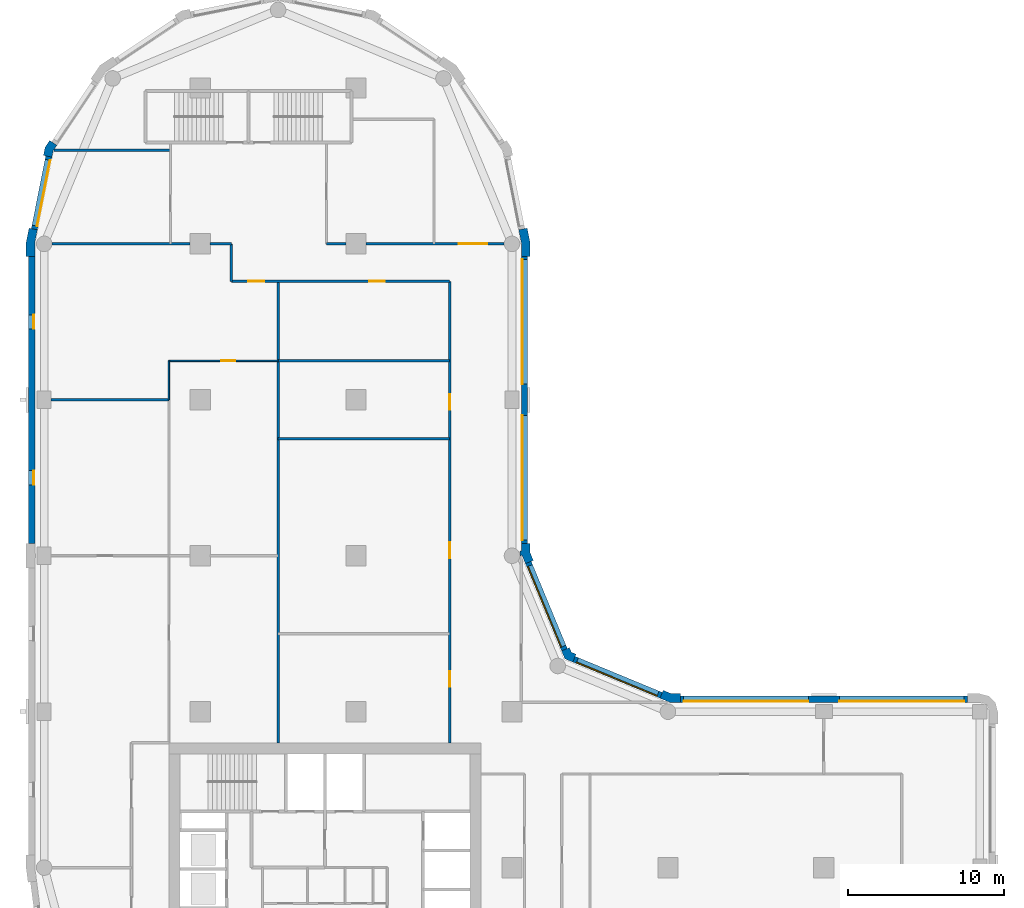
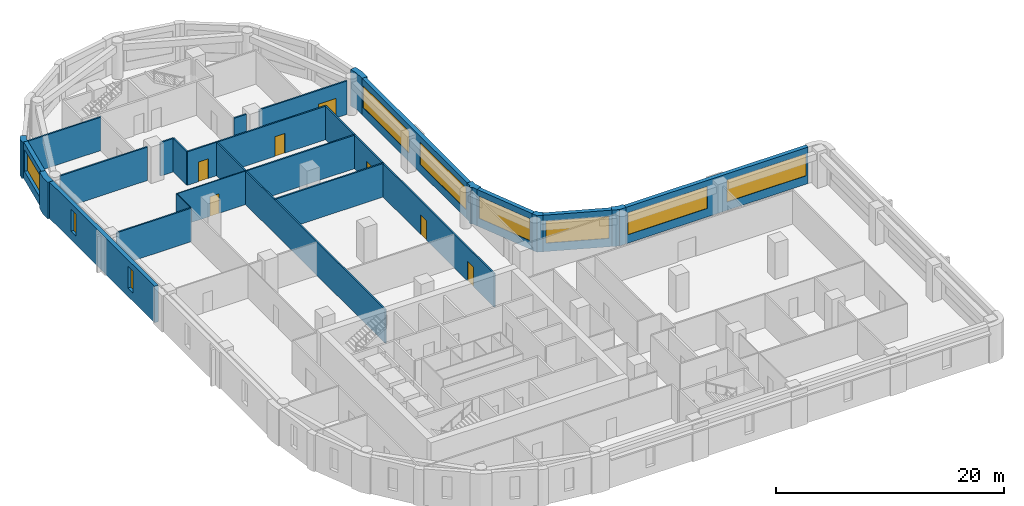
# One storey, part 6 of 10: 26 walls, 9 windows, 7 doors, 16 openings.
"""IFC4 building model written with IfcOpenShell, lengths in metres."""

from ifc_helpers import new_model, si_unit, direction, frame, frame_2d, origin, place, context, subcontext, project, spatial, polyline, rectangle, outline, extrude, material, layer, layer_set, type_object, element, fill, save


model = new_model("IFC4")

# Units and contexts
model_context = context("Model", 3, precision=1e-05, world=origin(), true_north=direction((0.0, 1.0)))
body_context = subcontext(model_context, "Body", "Model", "MODEL_VIEW")
ifc_project = project(units=[si_unit("LENGTHUNIT", "METRE"), si_unit("AREAUNIT", "SQUARE_METRE"), si_unit("VOLUMEUNIT", "CUBIC_METRE"), si_unit("PLANEANGLEUNIT", "RADIAN"), si_unit("MASSUNIT", "GRAM", prefix="KILO")], contexts=[model_context])

# Site, building, storey
site_placement = place(None, origin())
site = spatial("IfcSite", under=ifc_project, at=site_placement, CompositionType="ELEMENT")
building_placement = place(site_placement, origin())
building = spatial("IfcBuilding", under=site, at=building_placement, Name="Qaws Garden Tower", CompositionType="ELEMENT")
storey_placement = place(building_placement, frame((0.0, 0.0, 201.89990234375)))
storey = spatial("IfcBuildingStorey", under=building, at=storey_placement, Name="L49", CompositionType="ELEMENT", Elevation=201.89990234375)

# Wall, openings, windows
ifc_material_1 = material(Name="Clay facing brick masonry", Category="masonry")
ifc_layer_1 = layer(ifc_material_1, 0.39990234375)
ifc_layer_set_1 = layer_set([ifc_layer_1], Name="Clay facing brick masonry")
wall_type_1 = type_object("IfcWallType", Name="Brick infill wall 400", PredefinedType="SOLIDWALL", material=ifc_layer_set_1)
wall_1_placement = place(storey_placement, frame((59.199951171875, 30.800048828125, 0.0), z_axis=(0.0, 0.0, 1.0), x_axis=(-1.0, 0.0, 0.0)))
wall_1 = element("IfcWall", 1, at=wall_1_placement, inside=storey, type_object=wall_type_1, Name="E-L49-infill-07", PredefinedType="SOLIDWALL", context=body_context, shape_type="SweptSolid", body=[
    extrude(rectangle(XDim=18.39990234375, YDim=0.39990234375, at=frame_2d((9.199951171875, 0.0))), origin(), (0.0, 0.0, 1.0), 3.900146484375),
])
opening_1_placement = place(wall_1_placement, frame((0.199951171875, 0.0, 0.89990234375)))
opening_1 = element("IfcOpeningElement", 2, at=opening_1_placement, cuts=wall_1, Name="Opening W01", PredefinedType="OPENING", context=body_context, shape_type="SweptSolid", body=[
    extrude(rectangle(XDim=8.0, YDim=2.35009765625, at=frame_2d((4.0, 1.175048828125))), frame((0.0, 0.2099609375, 0.0), z_axis=(0.0, -1.0, 0.0), x_axis=(1.0, 0.0, 0.0)), (0.0, 0.0, 1.0), 0.419921875),
])
opening_2_placement = place(wall_1_placement, frame((10.199951171875, 0.0, 0.89990234375)))
opening_2 = element("IfcOpeningElement", 3, at=opening_2_placement, cuts=wall_1, Name="Opening W01", PredefinedType="OPENING", context=body_context, shape_type="SweptSolid", body=[
    extrude(rectangle(XDim=8.0, YDim=2.35009765625, at=frame_2d((4.0, 1.175048828125))), frame((0.0, 0.2099609375, 0.0), z_axis=(0.0, -1.0, 0.0), x_axis=(1.0, 0.0, 0.0)), (0.0, 0.0, 1.0), 0.419921875),
])
ifc_material_2 = material(Name="Aluminium framed window, clear glazing", Category="aluminium")
window_type_1 = type_object("IfcWindowType", Name="Ribbon window 8000 x 2350", PartitioningType="DOUBLE_PANEL_VERTICAL", PredefinedType="WINDOW", material=ifc_material_2)
window_1_placement = place(opening_1_placement, origin())
window_1 = element("IfcWindow", 4, at=window_1_placement, inside=storey, type_object=window_type_1, Name="E-L49-window-07-0", OverallHeight=2.35009765625, OverallWidth=8.0, PartitioningType="SINGLE_PANEL", PredefinedType="WINDOW", context=body_context, shape_type="SweptSolid", body=[
    extrude(rectangle(XDim=8.0, YDim=2.35009765625, at=frame_2d((4.0, 1.175048828125))), frame((0.0, 0.159912109375, 0.0), z_axis=(0.0, -1.0, 0.0), x_axis=(1.0, 0.0, 0.0)), (0.0, 0.0, 1.0), 0.06005859375),
])
fill(opening_1, window_1)
window_2_placement = place(opening_2_placement, origin())
window_2 = element("IfcWindow", 5, at=window_2_placement, inside=storey, type_object=window_type_1, Name="E-L49-window-08-0", OverallHeight=2.35009765625, OverallWidth=8.0, PartitioningType="SINGLE_PANEL", PredefinedType="WINDOW", context=body_context, shape_type="SweptSolid", body=[
    extrude(rectangle(XDim=8.0, YDim=2.35009765625, at=frame_2d((4.0, 1.175048828125))), frame((0.0, 0.159912109375, 0.0), z_axis=(0.0, -1.0, 0.0), x_axis=(1.0, 0.0, 0.0)), (0.0, 0.0, 1.0), 0.06005859375),
])
fill(opening_2, window_2)

# Wall, opening, window
wall_2_placement = place(storey_placement, frame((39.56689453125, 31.04541015625, 0.0), z_axis=(0.0, 0.0, 1.0), x_axis=(-0.923891000409, 0.382655745237, 0.0)))
wall_2 = element("IfcWall", 6, at=wall_2_placement, inside=storey, type_object=wall_type_1, Name="E-L49-infill-09", PredefinedType="SOLIDWALL", context=body_context, shape_type="SweptSolid", body=[
    extrude(rectangle(XDim=6.053466796875, YDim=0.39990234375, at=frame_2d((3.02685546875, 0.0))), origin(), (0.0, 0.0, 1.0), 3.900146484375),
])
opening_3_placement = place(wall_2_placement, frame((0.226806640625, 0.0, 0.89990234375)))
opening_3 = element("IfcOpeningElement", 7, at=opening_3_placement, cuts=wall_2, Name="Opening W04", PredefinedType="OPENING", context=body_context, shape_type="SweptSolid", body=[
    extrude(rectangle(XDim=5.60009765625, YDim=2.35009765625, at=frame_2d((2.800048828125, 1.175048828125))), frame((0.0, 0.2099609375, 0.0), z_axis=(0.0, -1.0, 0.0), x_axis=(1.0, 0.0, 0.0)), (0.0, 0.0, 1.0), 0.419921875),
])
ifc_material_3 = material(Name="Aluminium framed window, clear glazing", Category="aluminium")
window_type_2 = type_object("IfcWindowType", Name="Ribbon window 5600 x 2350", PartitioningType="DOUBLE_PANEL_VERTICAL", PredefinedType="WINDOW", material=ifc_material_3)
window_3_placement = place(opening_3_placement, origin())
window_3 = element("IfcWindow", 8, at=window_3_placement, inside=storey, type_object=window_type_2, Name="E-L49-window-09-0", OverallHeight=2.35009765625, OverallWidth=5.60009765625, PartitioningType="SINGLE_PANEL", PredefinedType="WINDOW", context=body_context, shape_type="SweptSolid", body=[
    extrude(rectangle(XDim=5.60009765625, YDim=2.35009765625, at=frame_2d((2.800048828125, 1.175048828125))), frame((0.0, 0.159912109375, 0.0), z_axis=(0.0, -1.0, 0.0), x_axis=(1.0, 0.0, 0.0)), (0.0, 0.0, 1.0), 0.06005859375),
])
fill(opening_3, window_3)

wall_3_placement = place(storey_placement, frame((33.36181640625, 33.97412109375, 0.0), z_axis=(0.0, 0.0, 1.0), x_axis=(-0.382655745237, 0.923891000409, 0.0)))
wall_3 = element("IfcWall", 9, at=wall_3_placement, inside=storey, type_object=wall_type_1, Name="E-L49-infill-10", PredefinedType="SOLIDWALL", context=body_context, shape_type="SweptSolid", body=[
    extrude(rectangle(XDim=6.053466796875, YDim=0.39990234375, at=frame_2d((3.02685546875, 0.0))), origin(), (0.0, 0.0, 1.0), 3.900146484375),
])
opening_4_placement = place(wall_3_placement, frame((0.226806640625, 0.0, 0.89990234375)))
opening_4 = element("IfcOpeningElement", 10, at=opening_4_placement, cuts=wall_3, Name="Opening W04", PredefinedType="OPENING", context=body_context, shape_type="SweptSolid", body=[
    extrude(rectangle(XDim=5.60009765625, YDim=2.35009765625, at=frame_2d((2.800048828125, 1.175048828125))), frame((0.0, 0.2099609375, 0.0), z_axis=(0.0, -1.0, 0.0), x_axis=(1.0, 0.0, 0.0)), (0.0, 0.0, 1.0), 0.419921875),
])
window_4_placement = place(opening_4_placement, origin())
window_4 = element("IfcWindow", 11, at=window_4_placement, inside=storey, type_object=window_type_2, Name="E-L49-window-10-0", OverallHeight=2.35009765625, OverallWidth=5.60009765625, PartitioningType="SINGLE_PANEL", PredefinedType="WINDOW", context=body_context, shape_type="SweptSolid", body=[
    extrude(rectangle(XDim=5.60009765625, YDim=2.35009765625, at=frame_2d((2.800048828125, 1.175048828125))), frame((0.0, 0.159912109375, 0.0), z_axis=(0.0, -1.0, 0.0), x_axis=(1.0, 0.0, 0.0)), (0.0, 0.0, 1.0), 0.06005859375),
])
fill(opening_4, window_4)

# Wall, openings, windows
wall_4_placement = place(storey_placement, frame((30.800048828125, 40.800048828125, 0.0), z_axis=(0.0, 0.0, 1.0), x_axis=(0.0, 1.0, 0.0)))
wall_4 = element("IfcWall", 12, at=wall_4_placement, inside=storey, type_object=wall_type_1, Name="E-L49-infill-11", PredefinedType="SOLIDWALL", context=body_context, shape_type="SweptSolid", body=[
    extrude(rectangle(XDim=18.39990234375, YDim=0.39990234375, at=frame_2d((9.199951171875, 0.0))), origin(), (0.0, 0.0, 1.0), 3.900146484375),
])
opening_5_placement = place(wall_4_placement, frame((0.199951171875, 0.0, 0.89990234375)))
opening_5 = element("IfcOpeningElement", 13, at=opening_5_placement, cuts=wall_4, Name="Opening W01", PredefinedType="OPENING", context=body_context, shape_type="SweptSolid", body=[
    extrude(rectangle(XDim=8.0, YDim=2.35009765625, at=frame_2d((4.0, 1.175048828125))), frame((0.0, 0.2099609375, 0.0), z_axis=(0.0, -1.0, 0.0), x_axis=(1.0, 0.0, 0.0)), (0.0, 0.0, 1.0), 0.419921875),
])
opening_6_placement = place(wall_4_placement, frame((10.199951171875, 0.0, 0.89990234375)))
opening_6 = element("IfcOpeningElement", 14, at=opening_6_placement, cuts=wall_4, Name="Opening W01", PredefinedType="OPENING", context=body_context, shape_type="SweptSolid", body=[
    extrude(rectangle(XDim=8.0, YDim=2.35009765625, at=frame_2d((4.0, 1.175048828125))), frame((0.0, 0.2099609375, 0.0), z_axis=(0.0, -1.0, 0.0), x_axis=(1.0, 0.0, 0.0)), (0.0, 0.0, 1.0), 0.419921875),
])
window_5_placement = place(opening_5_placement, origin())
window_5 = element("IfcWindow", 15, at=window_5_placement, inside=storey, type_object=window_type_1, Name="E-L49-window-11-0", OverallHeight=2.35009765625, OverallWidth=8.0, PartitioningType="SINGLE_PANEL", PredefinedType="WINDOW", context=body_context, shape_type="SweptSolid", body=[
    extrude(rectangle(XDim=8.0, YDim=2.35009765625, at=frame_2d((4.0, 1.175048828125))), frame((0.0, 0.159912109375, 0.0), z_axis=(0.0, -1.0, 0.0), x_axis=(1.0, 0.0, 0.0)), (0.0, 0.0, 1.0), 0.06005859375),
])
fill(opening_5, window_5)
window_6_placement = place(opening_6_placement, origin())
window_6 = element("IfcWindow", 16, at=window_6_placement, inside=storey, type_object=window_type_1, Name="E-L49-window-12-0", OverallHeight=2.35009765625, OverallWidth=8.0, PartitioningType="SINGLE_PANEL", PredefinedType="WINDOW", context=body_context, shape_type="SweptSolid", body=[
    extrude(rectangle(XDim=8.0, YDim=2.35009765625, at=frame_2d((4.0, 1.175048828125))), frame((0.0, 0.159912109375, 0.0), z_axis=(0.0, -1.0, 0.0), x_axis=(1.0, 0.0, 0.0)), (0.0, 0.0, 1.0), 0.06005859375),
])
fill(opening_6, window_6)

# Wall, opening, window
wall_5_placement = place(storey_placement, frame((0.298583984375, 65.60205078125, 0.0), z_axis=(0.0, 0.0, 1.0), x_axis=(-0.195098533057, -0.98078364709, 0.0)))
wall_5 = element("IfcWall", 17, at=wall_5_placement, inside=storey, type_object=wall_type_1, Name="E-L49-infill-20", PredefinedType="SOLIDWALL", context=body_context, shape_type="SweptSolid", body=[
    extrude(rectangle(XDim=4.752685546875, YDim=0.39990234375, at=frame_2d((2.37646484375, 0.0))), origin(), (0.0, 0.0, 1.0), 3.900146484375),
])
opening_7_placement = place(wall_5_placement, frame((0.226318359375, 0.0, 0.89990234375)))
opening_7 = element("IfcOpeningElement", 18, at=opening_7_placement, cuts=wall_5, Name="Opening W06", PredefinedType="OPENING", context=body_context, shape_type="SweptSolid", body=[
    extrude(rectangle(XDim=4.300048828125, YDim=2.35009765625, at=frame_2d((2.14990234375, 1.175048828125))), frame((0.0, 0.2099609375, 0.0), z_axis=(0.0, -1.0, 0.0), x_axis=(1.0, 0.0, 0.0)), (0.0, 0.0, 1.0), 0.419921875),
])
ifc_material_4 = material(Name="Aluminium framed window, clear glazing", Category="aluminium")
window_type_3 = type_object("IfcWindowType", Name="Ribbon window 4300 x 2350", PartitioningType="DOUBLE_PANEL_VERTICAL", PredefinedType="WINDOW", material=ifc_material_4)
window_7_placement = place(opening_7_placement, origin())
window_7 = element("IfcWindow", 19, at=window_7_placement, inside=storey, type_object=window_type_3, Name="E-L49-window-20-0", OverallHeight=2.35009765625, OverallWidth=4.300048828125, PartitioningType="SINGLE_PANEL", PredefinedType="WINDOW", context=body_context, shape_type="SweptSolid", body=[
    extrude(rectangle(XDim=4.300048828125, YDim=2.35009765625, at=frame_2d((2.14990234375, 1.175048828125))), frame((0.0, 0.159912109375, 0.0), z_axis=(0.0, -1.0, 0.0), x_axis=(1.0, 0.0, 0.0)), (0.0, 0.0, 1.0), 0.06005859375),
])
fill(opening_7, window_7)

# Wall, openings, windows
wall_6_placement = place(storey_placement, frame((-0.800048828125, 59.199951171875, 0.0), z_axis=(0.0, 0.0, 1.0), x_axis=(0.0, -1.0, 0.0)))
wall_6 = element("IfcWall", 20, at=wall_6_placement, inside=storey, type_object=wall_type_1, Name="E-L49-infill-21", PredefinedType="SOLIDWALL", context=body_context, shape_type="SweptSolid", body=[
    extrude(rectangle(XDim=18.39990234375, YDim=0.39990234375, at=frame_2d((9.199951171875, 0.0))), origin(), (0.0, 0.0, 1.0), 3.900146484375),
])
opening_8_placement = place(wall_6_placement, frame((3.75, 0.0, 0.89990234375)))
opening_8 = element("IfcOpeningElement", 21, at=opening_8_placement, cuts=wall_6, Name="Opening W09", PredefinedType="OPENING", context=body_context, shape_type="SweptSolid", body=[
    extrude(rectangle(XDim=0.89990234375, YDim=2.35009765625, at=frame_2d((0.449951171875, 1.175048828125))), frame((0.0, 0.2099609375, 0.0), z_axis=(0.0, -1.0, 0.0), x_axis=(1.0, 0.0, 0.0)), (0.0, 0.0, 1.0), 0.419921875),
])
opening_9_placement = place(wall_6_placement, frame((13.75, 0.0, 0.89990234375)))
opening_9 = element("IfcOpeningElement", 22, at=opening_9_placement, cuts=wall_6, Name="Opening W09", PredefinedType="OPENING", context=body_context, shape_type="SweptSolid", body=[
    extrude(rectangle(XDim=0.89990234375, YDim=2.35009765625, at=frame_2d((0.449951171875, 1.175048828125))), frame((0.0, 0.2099609375, 0.0), z_axis=(0.0, -1.0, 0.0), x_axis=(1.0, 0.0, 0.0)), (0.0, 0.0, 1.0), 0.419921875),
])
ifc_material_5 = material(Name="Aluminium framed window, clear glazing", Category="aluminium")
window_type_4 = type_object("IfcWindowType", Name="Slit window 900 x 2350", PartitioningType="SINGLE_PANEL", PredefinedType="WINDOW", material=ifc_material_5)
window_8_placement = place(opening_8_placement, origin())
window_8 = element("IfcWindow", 23, at=window_8_placement, inside=storey, type_object=window_type_4, Name="E-L49-window-21-0", OverallHeight=2.35009765625, OverallWidth=0.89990234375, PartitioningType="SINGLE_PANEL", PredefinedType="WINDOW", context=body_context, shape_type="SweptSolid", body=[
    extrude(rectangle(XDim=0.89990234375, YDim=2.35009765625, at=frame_2d((0.449951171875, 1.175048828125))), frame((0.0, 0.159912109375, 0.0), z_axis=(0.0, -1.0, 0.0), x_axis=(1.0, 0.0, 0.0)), (0.0, 0.0, 1.0), 0.06005859375),
])
fill(opening_8, window_8)
window_9_placement = place(opening_9_placement, origin())
window_9 = element("IfcWindow", 24, at=window_9_placement, inside=storey, type_object=window_type_4, Name="E-L49-window-22-0", OverallHeight=2.35009765625, OverallWidth=0.89990234375, PartitioningType="SINGLE_PANEL", PredefinedType="WINDOW", context=body_context, shape_type="SweptSolid", body=[
    extrude(rectangle(XDim=0.89990234375, YDim=2.35009765625, at=frame_2d((0.449951171875, 1.175048828125))), frame((0.0, 0.159912109375, 0.0), z_axis=(0.0, -1.0, 0.0), x_axis=(1.0, 0.0, 0.0)), (0.0, 0.0, 1.0), 0.06005859375),
])
fill(opening_9, window_9)

# Walls
ifc_material_6 = material(Name="Clay facing brick masonry", Category="masonry")
ifc_layer_2 = layer(ifc_material_6, 0.550048828125)
ifc_layer_set_2 = layer_set([ifc_layer_2], Name="Clay facing brick masonry")
wall_type_2 = type_object("IfcWallType", Name="Brick kink pier 550 x 600", PredefinedType="SOLIDWALL", material=ifc_layer_set_2)
placement = place(storey_placement, origin())
element("IfcWall", 25, at=placement, inside=storey, type_object=wall_type_2, Name="E-L49-pier-20", PredefinedType="SOLIDWALL", context=body_context, shape_type="SweptSolid", body=[
    extrude(outline(polyline([(0.47705078125, 66.545166015625), (0.352294921875, 66.628662109375), (0.05859375, 66.18896484375), (-0.044677734375, 65.67041015625), (0.1025390625, 65.64111328125), (0.494873046875, 65.56298828125), (0.57666015625, 65.974365234375), (0.8095703125, 66.322998046875), (0.47705078125, 66.545166015625)])), origin(), (0.0, 0.0, 1.0), 3.900146484375),
])
ifc_material_7 = material(Name="Clay facing brick masonry", Category="masonry")
ifc_layer_3 = layer(ifc_material_7, 0.550048828125)
ifc_layer_set_3 = layer_set([ifc_layer_3], Name="Clay facing brick masonry")
wall_type_3 = type_object("IfcWallType", Name="Brick pier 550 x 1600", PredefinedType="SOLIDWALL", material=ifc_layer_set_3)
element("IfcWall", 26, at=placement, inside=storey, type_object=wall_type_3, Name="E-L49-pier-09", PredefinedType="SOLIDWALL", context=body_context, shape_type="SweptSolid", body=[
    extrude(outline(polyline([(40.800048828125, 31.0), (40.800048828125, 31.14990234375), (40.228759765625, 31.14990234375), (39.700927734375, 31.36865234375), (39.6435546875, 31.22998046875), (39.490478515625, 30.860595703125), (40.119384765625, 30.60009765625), (40.800048828125, 30.60009765625), (40.800048828125, 31.0)])), origin(), (0.0, 0.0, 1.0), 3.900146484375),
])
element("IfcWall", 27, at=placement, inside=storey, type_object=wall_type_3, Name="E-L49-pier-10", PredefinedType="SOLIDWALL", context=body_context, shape_type="SweptSolid", body=[
    extrude(outline(polyline([(34.05078125, 33.546630859375), (34.108154296875, 33.685302734375), (33.80908203125, 33.80908203125), (33.685302734375, 34.108154296875), (33.546630859375, 34.05078125), (33.177001953125, 33.897705078125), (33.38818359375, 33.38818359375), (33.897705078125, 33.177001953125), (34.05078125, 33.546630859375)])), origin(), (0.0, 0.0, 1.0), 3.900146484375),
])
element("IfcWall", 28, at=placement, inside=storey, type_object=wall_type_3, Name="E-L49-pier-11", PredefinedType="SOLIDWALL", context=body_context, shape_type="SweptSolid", body=[
    extrude(outline(polyline([(30.6201171875, 39.995361328125), (30.6201171875, 40.071044921875), (30.860595703125, 39.490478515625), (31.22998046875, 39.6435546875), (31.36865234375, 39.700927734375), (31.14990234375, 40.228759765625), (31.14990234375, 40.800048828125), (31.0, 40.800048828125), (30.60009765625, 40.800048828125), (30.60009765625, 40.29541015625), (30.5, 40.29541015625), (30.5, 39.995361328125), (30.6201171875, 39.995361328125)])), origin(), (0.0, 0.0, 1.0), 3.900146484375),
])
element("IfcWall", 29, at=placement, inside=storey, type_object=wall_type_3, Name="E-L49-pier-13", PredefinedType="SOLIDWALL", context=body_context, shape_type="SweptSolid", body=[
    extrude(outline(polyline([(31.0, 59.199951171875), (31.14990234375, 59.199951171875), (31.14990234375, 60.11328125), (30.971923828125, 61.009033203125), (30.82470703125, 60.979736328125), (30.432373046875, 60.901611328125), (30.60009765625, 60.05908203125), (30.60009765625, 59.199951171875), (31.0, 59.199951171875)])), origin(), (0.0, 0.0, 1.0), 3.900146484375),
])
element("IfcWall", 30, at=placement, inside=storey, type_object=wall_type_3, Name="E-L49-pier-21", PredefinedType="SOLIDWALL", context=body_context, shape_type="SweptSolid", body=[
    extrude(outline(polyline([(-0.82470703125, 60.979736328125), (-0.971923828125, 61.009033203125), (-1.14990234375, 60.11328125), (-1.14990234375, 59.199951171875), (-1.0, 59.199951171875), (-0.60009765625, 59.199951171875), (-0.60009765625, 60.05908203125), (-0.432373046875, 60.901611328125), (-0.82470703125, 60.979736328125)])), origin(), (0.0, 0.0, 1.0), 3.900146484375),
])
ifc_material_8 = material(Name="Gypsum board partition")
ifc_layer_4 = layer(ifc_material_8, 0.10009765625)
ifc_layer_set_4 = layer_set([ifc_layer_4], Name="Gypsum board partition")
wall_type_4 = type_object("IfcWallType", Name="PARTITION 100", PredefinedType="PARTITIONING", material=ifc_layer_set_4)
wall_13_placement = place(storey_placement, frame((8.0, 50.0, 0.0), z_axis=(0.0, 0.0, 1.0), x_axis=(0.0, 1.0, 0.0)))
element("IfcWall", 31, at=wall_13_placement, inside=storey, type_object=wall_type_4, Name="O-L49-wall-002", PredefinedType="PARTITIONING", context=body_context, shape_type="SweptSolid", body=[
    extrude(rectangle(XDim=2.5, YDim=0.10009765625, at=frame_2d((1.25, 0.0))), origin(), (0.0, 0.0, 1.0), 3.580078125),
])

# Wall, opening, door
wall_14_placement = place(storey_placement, frame((8.0, 52.5, 0.0), z_axis=(0.0, 0.0, 1.0), x_axis=(1.0, 0.0, 0.0)))
wall_14 = element("IfcWall", 32, at=wall_14_placement, inside=storey, type_object=wall_type_4, Name="O-L49-wall-009", PredefinedType="PARTITIONING", context=body_context, shape_type="SweptSolid", body=[
    extrude(rectangle(XDim=7.0, YDim=0.10009765625, at=frame_2d((3.5, 0.0))), origin(), (0.0, 0.0, 1.0), 3.580078125),
])
opening_10_placement = place(wall_14_placement, frame((3.35009765625, 0.0, 0.0)))
opening_10 = element("IfcOpeningElement", 33, at=opening_10_placement, cuts=wall_14, Name="Opening B727", PredefinedType="OPENING", context=body_context, shape_type="SweptSolid", body=[
    extrude(rectangle(XDim=0.89990234375, YDim=2.10009765625, at=frame_2d((0.449951171875, 1.050048828125))), frame((0.0, 0.06005859375, 0.0), z_axis=(0.0, -1.0, 0.0), x_axis=(1.0, 0.0, 0.0)), (0.0, 0.0, 1.0), 0.1201171875),
])
ifc_material_9 = material(Name="Timber door leaf", Category="wood")
door_type_1 = type_object("IfcDoorType", Name="OFFICE DOOR 900 X 2100", OperationType="SINGLE_SWING_LEFT", PredefinedType="DOOR", material=ifc_material_9)
door_1_placement = place(opening_10_placement, frame((0.89990234375, 0.0, 0.0), z_axis=(0.0, 0.0, 1.0), x_axis=(-1.0, 0.0, 0.0)))
door_1 = element("IfcDoor", 34, at=door_1_placement, inside=storey, type_object=door_type_1, Name="O-L49-door-027", OperationType="SINGLE_SWING_LEFT", OverallHeight=2.10009765625, OverallWidth=0.89990234375, PredefinedType="DOOR", context=body_context, shape_type="SweptSolid", body=[
    extrude(rectangle(XDim=0.89990234375, YDim=2.10009765625, at=frame_2d((0.449951171875, 1.050048828125))), frame((0.0, 0.02490234375, 0.0), z_axis=(0.0, -1.0, 0.0), x_axis=(1.0, 0.0, 0.0)), (0.0, 0.0, 1.0), 0.050048828125),
])
fill(opening_10, door_1)

# Walls
ifc_material_10 = material(Name="Gypsum board partition")
ifc_layer_5 = layer(ifc_material_10, 0.14990234375)
ifc_layer_set_5 = layer_set([ifc_layer_5], Name="Gypsum board partition")
wall_type_5 = type_object("IfcWallType", Name="PARTITION 150 EI 60", PredefinedType="PARTITIONING", material=ifc_layer_set_5)
wall_15_placement = place(storey_placement, frame((12.0, 57.60009765625, 0.0), z_axis=(0.0, 0.0, 1.0), x_axis=(0.0, 1.0, 0.0)))
element("IfcWall", 35, at=wall_15_placement, inside=storey, type_object=wall_type_5, Name="O-L49-wall-013", PredefinedType="PARTITIONING", context=body_context, shape_type="SweptSolid", body=[
    extrude(rectangle(XDim=2.39990234375, YDim=0.14990234375, at=frame_2d((1.199951171875, 0.0))), origin(), (0.0, 0.0, 1.0), 3.580078125),
])
wall_16_placement = place(storey_placement, frame((15.0, 28.0, 0.0), z_axis=(0.0, 0.0, 1.0), x_axis=(0.0, 1.0, 0.0)))
element("IfcWall", 36, at=wall_16_placement, inside=storey, type_object=wall_type_5, Name="O-L49-wall-015", PredefinedType="PARTITIONING", context=body_context, shape_type="SweptSolid", body=[
    extrude(rectangle(XDim=29.60009765625, YDim=0.14990234375, at=frame_2d((14.800048828125, 0.0))), origin(), (0.0, 0.0, 1.0), 3.580078125),
])

# Wall, openings, doors
wall_17_placement = place(storey_placement, frame((26.0, 28.0, 0.0), z_axis=(0.0, 0.0, 1.0), x_axis=(0.0, 1.0, 0.0)))
wall_17 = element("IfcWall", 37, at=wall_17_placement, inside=storey, type_object=wall_type_5, Name="O-L49-wall-019", PredefinedType="PARTITIONING", context=body_context, shape_type="SweptSolid", body=[
    extrude(rectangle(XDim=29.60009765625, YDim=0.14990234375, at=frame_2d((14.800048828125, 0.0))), origin(), (0.0, 0.0, 1.0), 3.580078125),
])
opening_11_placement = place(wall_17_placement, frame((3.60009765625, 0.0, 0.0)))
opening_11 = element("IfcOpeningElement", 38, at=opening_11_placement, cuts=wall_17, Name="Opening B705", PredefinedType="OPENING", context=body_context, shape_type="SweptSolid", body=[
    extrude(rectangle(XDim=1.0, YDim=2.10009765625, at=frame_2d((0.5, 1.050048828125))), frame((0.0, 0.0849609375, 0.0), z_axis=(0.0, -1.0, 0.0), x_axis=(1.0, 0.0, 0.0)), (0.0, 0.0, 1.0), 0.169921875),
])
opening_12_placement = place(wall_17_placement, frame((11.85009765625, 0.0, 0.0)))
opening_12 = element("IfcOpeningElement", 39, at=opening_12_placement, cuts=wall_17, Name="Opening B706", PredefinedType="OPENING", context=body_context, shape_type="SweptSolid", body=[
    extrude(rectangle(XDim=1.0, YDim=2.10009765625, at=frame_2d((0.5, 1.050048828125))), frame((0.0, 0.0849609375, 0.0), z_axis=(0.0, -1.0, 0.0), x_axis=(1.0, 0.0, 0.0)), (0.0, 0.0, 1.0), 0.169921875),
])
opening_13_placement = place(wall_17_placement, frame((21.35009765625, 0.0, 0.0)))
opening_13 = element("IfcOpeningElement", 40, at=opening_13_placement, cuts=wall_17, Name="Opening B707", PredefinedType="OPENING", context=body_context, shape_type="SweptSolid", body=[
    extrude(rectangle(XDim=1.0, YDim=2.10009765625, at=frame_2d((0.5, 1.050048828125))), frame((0.0, 0.0849609375, 0.0), z_axis=(0.0, -1.0, 0.0), x_axis=(1.0, 0.0, 0.0)), (0.0, 0.0, 1.0), 0.169921875),
])
ifc_material_11 = material(Name="Timber door leaf", Category="wood")
door_type_2 = type_object("IfcDoorType", Name="TENANCY ENTRANCE DOOR 1000 X 2100", OperationType="SINGLE_SWING_LEFT", PredefinedType="DOOR", material=ifc_material_11)
door_2_placement = place(opening_11_placement, origin())
door_2 = element("IfcDoor", 41, at=door_2_placement, inside=storey, type_object=door_type_2, Name="O-L49-door-005", OperationType="SINGLE_SWING_RIGHT", OverallHeight=2.10009765625, OverallWidth=1.0, PredefinedType="DOOR", context=body_context, shape_type="SweptSolid", body=[
    extrude(rectangle(XDim=1.0, YDim=2.10009765625, at=frame_2d((0.5, 1.050048828125))), frame((0.0, 0.02490234375, 0.0), z_axis=(0.0, -1.0, 0.0), x_axis=(1.0, 0.0, 0.0)), (0.0, 0.0, 1.0), 0.050048828125),
])
fill(opening_11, door_2)
door_3_placement = place(opening_12_placement, origin())
door_3 = element("IfcDoor", 42, at=door_3_placement, inside=storey, type_object=door_type_2, Name="O-L49-door-006", OperationType="SINGLE_SWING_LEFT", OverallHeight=2.10009765625, OverallWidth=1.0, PredefinedType="DOOR", context=body_context, shape_type="SweptSolid", body=[
    extrude(rectangle(XDim=1.0, YDim=2.10009765625, at=frame_2d((0.5, 1.050048828125))), frame((0.0, 0.02490234375, 0.0), z_axis=(0.0, -1.0, 0.0), x_axis=(1.0, 0.0, 0.0)), (0.0, 0.0, 1.0), 0.050048828125),
])
fill(opening_12, door_3)
door_4_placement = place(opening_13_placement, origin())
door_4 = element("IfcDoor", 43, at=door_4_placement, inside=storey, type_object=door_type_2, Name="O-L49-door-007", OperationType="SINGLE_SWING_LEFT", OverallHeight=2.10009765625, OverallWidth=1.0, PredefinedType="DOOR", context=body_context, shape_type="SweptSolid", body=[
    extrude(rectangle(XDim=1.0, YDim=2.10009765625, at=frame_2d((0.5, 1.050048828125))), frame((0.0, 0.02490234375, 0.0), z_axis=(0.0, -1.0, 0.0), x_axis=(1.0, 0.0, 0.0)), (0.0, 0.0, 1.0), 0.050048828125),
])
fill(opening_13, door_4)

# Walls
wall_18_placement = place(storey_placement, frame((15.0, 47.5, 0.0), z_axis=(0.0, 0.0, 1.0), x_axis=(1.0, 0.0, 0.0)))
element("IfcWall", 44, at=wall_18_placement, inside=storey, type_object=wall_type_5, Name="O-L49-wall-053", PredefinedType="PARTITIONING", context=body_context, shape_type="SweptSolid", body=[
    extrude(rectangle(XDim=11.0, YDim=0.14990234375, at=frame_2d((5.5, 0.0))), origin(), (0.0, 0.0, 1.0), 3.580078125),
])
wall_19_placement = place(storey_placement, frame((0.449951171875, 50.0, 0.0), z_axis=(0.0, 0.0, 1.0), x_axis=(1.0, 0.0, 0.0)))
element("IfcWall", 45, at=wall_19_placement, inside=storey, type_object=wall_type_5, Name="O-L49-wall-054", PredefinedType="PARTITIONING", context=body_context, shape_type="SweptSolid", body=[
    extrude(rectangle(XDim=7.550048828125, YDim=0.14990234375, at=frame_2d((3.77490234375, 0.0))), origin(), (0.0, 0.0, 1.0), 3.580078125),
])
wall_20_placement = place(storey_placement, frame((15.0, 52.5, 0.0), z_axis=(0.0, 0.0, 1.0), x_axis=(1.0, 0.0, 0.0)))
element("IfcWall", 46, at=wall_20_placement, inside=storey, type_object=wall_type_5, Name="O-L49-wall-055", PredefinedType="PARTITIONING", context=body_context, shape_type="SweptSolid", body=[
    extrude(rectangle(XDim=11.0, YDim=0.14990234375, at=frame_2d((5.5, 0.0))), origin(), (0.0, 0.0, 1.0), 3.580078125),
])

# Wall, openings, doors
wall_21_placement = place(storey_placement, frame((12.0, 57.60009765625, 0.0), z_axis=(0.0, 0.0, 1.0), x_axis=(1.0, 0.0, 0.0)))
wall_21 = element("IfcWall", 47, at=wall_21_placement, inside=storey, type_object=wall_type_5, Name="O-L49-wall-056", PredefinedType="PARTITIONING", context=body_context, shape_type="SweptSolid", body=[
    extrude(rectangle(XDim=14.0, YDim=0.14990234375, at=frame_2d((7.0, 0.0))), origin(), (0.0, 0.0, 1.0), 3.580078125),
])
opening_14_placement = place(wall_21_placement, frame((8.85009765625, 0.0, 0.0)))
opening_14 = element("IfcOpeningElement", 48, at=opening_14_placement, cuts=wall_21, Name="Opening B708", PredefinedType="OPENING", context=body_context, shape_type="SweptSolid", body=[
    extrude(rectangle(XDim=1.0, YDim=2.10009765625, at=frame_2d((0.5, 1.050048828125))), frame((0.0, 0.0849609375, 0.0), z_axis=(0.0, -1.0, 0.0), x_axis=(1.0, 0.0, 0.0)), (0.0, 0.0, 1.0), 0.169921875),
])
opening_15_placement = place(wall_21_placement, frame((1.10009765625, 0.0, 0.0)))
opening_15 = element("IfcOpeningElement", 49, at=opening_15_placement, cuts=wall_21, Name="Opening B710", PredefinedType="OPENING", context=body_context, shape_type="SweptSolid", body=[
    extrude(rectangle(XDim=1.0, YDim=2.10009765625, at=frame_2d((0.5, 1.050048828125))), frame((0.0, 0.0849609375, 0.0), z_axis=(0.0, -1.0, 0.0), x_axis=(1.0, 0.0, 0.0)), (0.0, 0.0, 1.0), 0.169921875),
])
door_5_placement = place(opening_14_placement, frame((1.0, 0.0, 0.0), z_axis=(0.0, 0.0, 1.0), x_axis=(-1.0, 0.0, 0.0)))
door_5 = element("IfcDoor", 50, at=door_5_placement, inside=storey, type_object=door_type_2, Name="O-L49-door-008", OperationType="SINGLE_SWING_LEFT", OverallHeight=2.10009765625, OverallWidth=1.0, PredefinedType="DOOR", context=body_context, shape_type="SweptSolid", body=[
    extrude(rectangle(XDim=1.0, YDim=2.10009765625, at=frame_2d((0.5, 1.050048828125))), frame((0.0, 0.02490234375, 0.0), z_axis=(0.0, -1.0, 0.0), x_axis=(1.0, 0.0, 0.0)), (0.0, 0.0, 1.0), 0.050048828125),
])
fill(opening_14, door_5)
door_6_placement = place(opening_15_placement, frame((1.0, 0.0, 0.0), z_axis=(0.0, 0.0, 1.0), x_axis=(-1.0, 0.0, 0.0)))
door_6 = element("IfcDoor", 51, at=door_6_placement, inside=storey, type_object=door_type_2, Name="O-L49-door-010", OperationType="SINGLE_SWING_LEFT", OverallHeight=2.10009765625, OverallWidth=1.0, PredefinedType="DOOR", context=body_context, shape_type="SweptSolid", body=[
    extrude(rectangle(XDim=1.0, YDim=2.10009765625, at=frame_2d((0.5, 1.050048828125))), frame((0.0, 0.02490234375, 0.0), z_axis=(0.0, -1.0, 0.0), x_axis=(1.0, 0.0, 0.0)), (0.0, 0.0, 1.0), 0.050048828125),
])
fill(opening_15, door_6)

# Walls
wall_22_placement = place(storey_placement, frame((0.5, 60.0, 0.0), z_axis=(0.0, 0.0, 1.0), x_axis=(1.0, 0.0, 0.0)))
element("IfcWall", 52, at=wall_22_placement, inside=storey, type_object=wall_type_5, Name="O-L49-wall-057", PredefinedType="PARTITIONING", context=body_context, shape_type="SweptSolid", body=[
    extrude(rectangle(XDim=8.85009765625, YDim=0.14990234375, at=frame_2d((4.425048828125, 0.0))), origin(), (0.0, 0.0, 1.0), 3.580078125),
])
wall_23_placement = place(storey_placement, frame((10.64990234375, 60.0, 0.0), z_axis=(0.0, 0.0, 1.0), x_axis=(1.0, 0.0, 0.0)))
element("IfcWall", 53, at=wall_23_placement, inside=storey, type_object=wall_type_5, Name="O-L49-wall-058", PredefinedType="PARTITIONING", context=body_context, shape_type="SweptSolid", body=[
    extrude(rectangle(XDim=1.35009765625, YDim=0.14990234375, at=frame_2d((0.675048828125, 0.0))), origin(), (0.0, 0.0, 1.0), 3.580078125),
])
wall_24_placement = place(storey_placement, frame((18.10009765625, 60.0, 0.0), z_axis=(0.0, 0.0, 1.0), x_axis=(1.0, 0.0, 0.0)))
element("IfcWall", 54, at=wall_24_placement, inside=storey, type_object=wall_type_5, Name="O-L49-wall-059", PredefinedType="PARTITIONING", context=body_context, shape_type="SweptSolid", body=[
    extrude(rectangle(XDim=1.25, YDim=0.14990234375, at=frame_2d((0.625, 0.0))), origin(), (0.0, 0.0, 1.0), 3.580078125),
])

# Wall, opening, door
wall_25_placement = place(storey_placement, frame((20.64990234375, 60.0, 0.0), z_axis=(0.0, 0.0, 1.0), x_axis=(1.0, 0.0, 0.0)))
wall_25 = element("IfcWall", 55, at=wall_25_placement, inside=storey, type_object=wall_type_5, Name="O-L49-wall-060", PredefinedType="PARTITIONING", context=body_context, shape_type="SweptSolid", body=[
    extrude(rectangle(XDim=8.85009765625, YDim=0.14990234375, at=frame_2d((4.425048828125, 0.0))), origin(), (0.0, 0.0, 1.0), 3.580078125),
])
opening_16_placement = place(wall_25_placement, frame((5.949951171875, 0.0, 0.0)))
opening_16 = element("IfcOpeningElement", 56, at=opening_16_placement, cuts=wall_25, Name="Opening B714", PredefinedType="OPENING", context=body_context, shape_type="SweptSolid", body=[
    extrude(rectangle(XDim=1.800048828125, YDim=2.10009765625, at=frame_2d((0.89990234375, 1.050048828125))), frame((0.0, 0.0849609375, 0.0), z_axis=(0.0, -1.0, 0.0), x_axis=(1.0, 0.0, 0.0)), (0.0, 0.0, 1.0), 0.169921875),
])
ifc_material_12 = material(Name="Timber door leaf", Category="wood")
door_type_3 = type_object("IfcDoorType", Name="DOUBLE DOOR 1800 X 2100", OperationType="DOUBLE_DOOR_SINGLE_SWING", PredefinedType="DOOR", material=ifc_material_12)
door_7_placement = place(opening_16_placement, origin())
door_7 = element("IfcDoor", 57, at=door_7_placement, inside=storey, type_object=door_type_3, Name="O-L49-door-014", OperationType="DOUBLE_DOOR_SINGLE_SWING", OverallHeight=2.10009765625, OverallWidth=1.800048828125, PredefinedType="DOOR", context=body_context, shape_type="SweptSolid", body=[
    extrude(rectangle(XDim=1.800048828125, YDim=2.10009765625, at=frame_2d((0.89990234375, 1.050048828125))), frame((0.0, 0.02490234375, 0.0), z_axis=(0.0, -1.0, 0.0), x_axis=(1.0, 0.0, 0.0)), (0.0, 0.0, 1.0), 0.050048828125),
])
fill(opening_16, door_7)

# Wall
wall_26_placement = place(storey_placement, frame((0.643798828125, 66.0, 0.0), z_axis=(0.0, 0.0, 1.0), x_axis=(1.0, 0.0, 0.0)))
element("IfcWall", 58, at=wall_26_placement, inside=storey, type_object=wall_type_5, Name="O-L49-wall-061", PredefinedType="PARTITIONING", context=body_context, shape_type="SweptSolid", body=[
    extrude(rectangle(XDim=7.456298828125, YDim=0.14990234375, at=frame_2d((3.72802734375, 0.0))), origin(), (0.0, 0.0, 1.0), 3.580078125),
])

save(model, "model.ifc")
